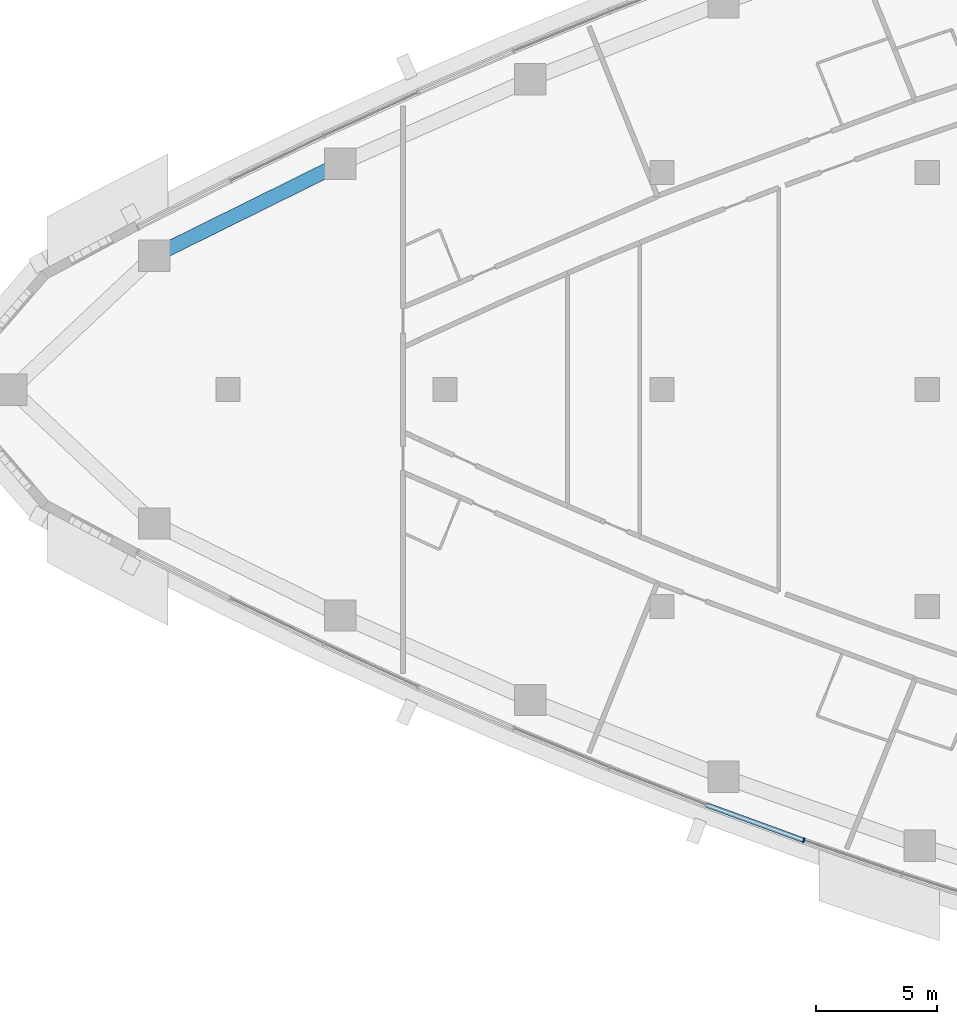
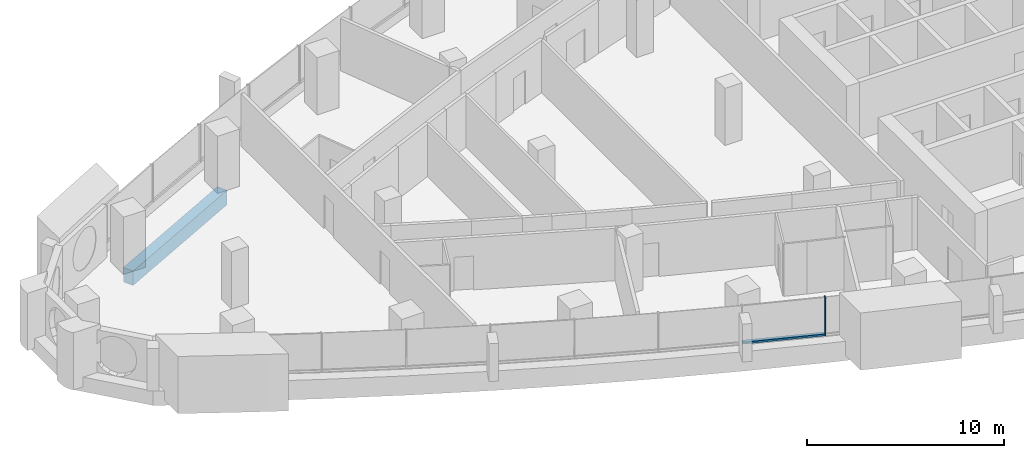
# One storey, part 3 of 16: 2 members, 1 beam, 1 element without a shape of its own.
"""IFC4 building model written with IfcOpenShell, lengths in metres."""

from ifc_helpers import new_model, si_unit, direction, frame, origin, origin_2d, place, context, subcontext, project, spatial, rectangle, extrude, material, layer, layer_set, material_profile, profile_set, type_object, element, aggregate, save


model = new_model("IFC4")

# Units and contexts
model_context = context("Model", 3, precision=1e-05, world=origin(), true_north=direction((0.0, 1.0)))
body_context = subcontext(model_context, "Body", "Model", "MODEL_VIEW")
ifc_project = project(units=[si_unit("LENGTHUNIT", "METRE"), si_unit("AREAUNIT", "SQUARE_METRE"), si_unit("VOLUMEUNIT", "CUBIC_METRE"), si_unit("PLANEANGLEUNIT", "RADIAN"), si_unit("MASSUNIT", "GRAM", prefix="KILO")], contexts=[model_context])

# Site, building, storey
site_placement = place(None, origin())
site = spatial("IfcSite", under=ifc_project, at=site_placement, CompositionType="ELEMENT")
building_placement = place(site_placement, origin())
building = spatial("IfcBuilding", under=site, at=building_placement, Name="Ostrand Prow Hotel Tower", CompositionType="ELEMENT")
storey_placement = place(building_placement, frame((0.0, 0.0, 186.14990234375)))
storey = spatial("IfcBuildingStorey", under=building, at=storey_placement, Name="L46", CompositionType="ELEMENT", Elevation=186.14990234375)

# Beam
ifc_material_1 = material(Name="Concrete C60/75", Category="concrete")
ifc_material_profile_1 = material_profile(ifc_material_1, rectangle(XDim=0.60009765625, YDim=0.89990234375, at=origin_2d()), Name="RC 600x900")
ifc_profile_set_1 = profile_set([ifc_material_profile_1], Name="Concrete C60/75")
beam_type = type_object("IfcBeamType", Name="Edge beam 600x900 C60/75", PredefinedType="SPANDREL", material=ifc_profile_set_1)
beam_placement = place(storey_placement, frame((20.656982421875, 9.373291015625, -0.75), z_axis=(-0.896383774903, -0.443278837856, 0.0), x_axis=(0.443278837856, -0.896383774903, 0.0)))
element("IfcBeam", 1, at=beam_placement, inside=storey, type_object=beam_type, Name="Edge beam N5-N6", PredefinedType="SPANDREL", context=body_context, shape_type="SweptSolid", body=[
    extrude(rectangle(XDim=0.60009765625, YDim=0.89990234375, at=origin_2d()), origin(), (0.0, 0.0, 1.0), 8.62158203125),
])

# Curtain wall, members
ifc_material_2 = material(Name="Insulated glass in bronze anodised frame", Category="glass")
ifc_layer = layer(ifc_material_2, 0.199951171875)
ifc_layer_set = layer_set([ifc_layer], Name="Insulated glass in bronze anodised frame")
curtain_wall_type = type_object("IfcCurtainWallType", Name="Strip curtain wall, fritted glass over bronze spandrel", PredefinedType="NOTDEFINED", material=ifc_layer_set)
curtain_wall_placement = place(storey_placement, origin())
curtain_wall = element("IfcCurtainWall", 2, at=curtain_wall_placement, inside=storey, type_object=curtain_wall_type, Name="CW1 run CWS4", PredefinedType="NOTDEFINED")
ifc_material_3 = material(Name="Bronze anodised aluminium", Category="aluminium")
ifc_material_profile_2 = material_profile(ifc_material_3, rectangle(XDim=0.199951171875, YDim=0.06005859375, at=origin_2d()), Name="Mullion 60x200 bronze anodised aluminium")
ifc_profile_set_2 = profile_set([ifc_material_profile_2], Name="Bronze anodised aluminium")
member_type_1 = type_object("IfcMemberType", Name="Mullion 60x200 bronze anodised aluminium", PredefinedType="MULLION", material=ifc_profile_set_2)
member_1_placement = place(storey_placement, frame((39.87939453125, -18.696533203125, 0.900146484375), z_axis=(0.0, 0.0, 1.0), x_axis=(0.322908332404, 0.946430245113, 0.0)))
member_1 = element("IfcMember", 3, at=member_1_placement, type_object=member_type_1, Name="CW1 mullion 2", PredefinedType="MULLION", context=body_context, shape_type="SweptSolid", body=[
    extrude(rectangle(XDim=0.199951171875, YDim=0.06005859375, at=origin_2d()), origin(), (0.0, 0.0, 1.0), 2.349853515625),
])
ifc_material_4 = material(Name="Bronze anodised aluminium", Category="aluminium")
ifc_material_profile_3 = material_profile(ifc_material_4, rectangle(XDim=0.199951171875, YDim=0.1201171875, at=origin_2d()), Name="Transom 120x200 bronze anodised aluminium")
ifc_profile_set_3 = profile_set([ifc_material_profile_3], Name="Bronze anodised aluminium")
member_type_2 = type_object("IfcMemberType", Name="Transom 120x200 bronze anodised aluminium", PredefinedType="USERDEFINED", material=ifc_profile_set_3)
member_2_placement = place(storey_placement, frame((35.86181640625, -17.235107421875, 0.960205078125), z_axis=(0.939753116272, -0.341853887584, 0.0), x_axis=(0.341853887584, 0.939753116272, 0.0)))
member_2 = element("IfcMember", 4, at=member_2_placement, type_object=member_type_2, Name="CW1 transom 1.1", ObjectType="TRANSOM", PredefinedType="USERDEFINED", context=body_context, shape_type="SweptSolid", body=[
    extrude(rectangle(XDim=0.199951171875, YDim=0.1201171875, at=origin_2d()), origin(), (0.0, 0.0, 1.0), 4.2451171875),
])
aggregate(curtain_wall, [member_1, member_2])

save(model, "model.ifc")
